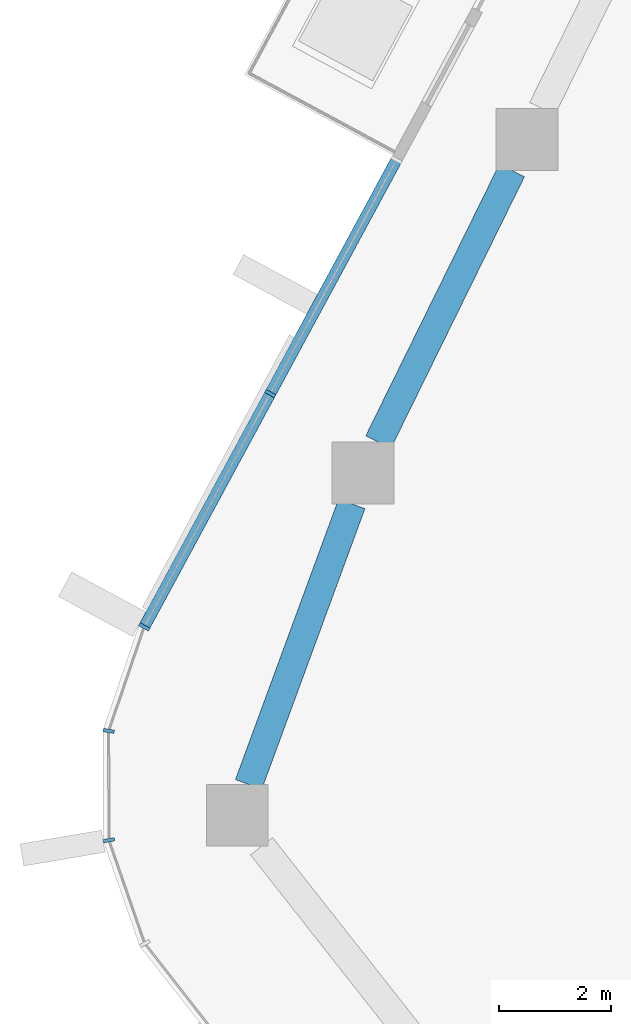
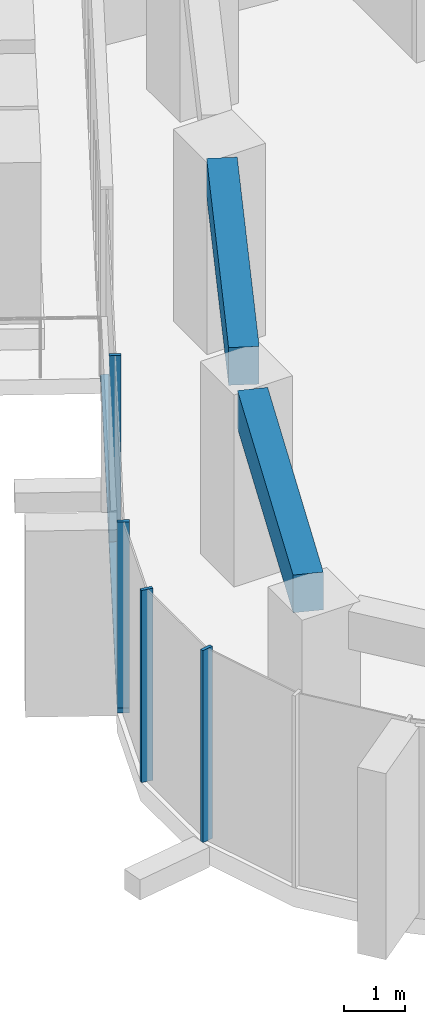
# One storey, part 3 of 20: 5 members, 2 beams, 2 elements without a shape of their own.
"""IFC4 building model written with IfcOpenShell, lengths in metres."""

from ifc_helpers import new_model, si_unit, direction, frame, origin, origin_2d, place, context, subcontext, project, spatial, rectangle, extrude, material, layer, layer_set, material_profile, profile_set, type_object, element, aggregate, save


model = new_model("IFC4")

# Units and contexts
model_context = context("Model", 3, precision=1e-05, world=origin(), true_north=direction((0.0, 1.0)))
body_context = subcontext(model_context, "Body", "Model", "MODEL_VIEW")
ifc_project = project(units=[si_unit("LENGTHUNIT", "METRE"), si_unit("AREAUNIT", "SQUARE_METRE"), si_unit("VOLUMEUNIT", "CUBIC_METRE"), si_unit("PLANEANGLEUNIT", "RADIAN"), si_unit("MASSUNIT", "GRAM", prefix="KILO")], contexts=[model_context])

# Site, building, storey
site_placement = place(None, origin())
site = spatial("IfcSite", under=ifc_project, at=site_placement, CompositionType="ELEMENT")
building_placement = place(site_placement, origin())
building = spatial("IfcBuilding", under=site, at=building_placement, Name="Dongbaek Canopy Tower", CompositionType="ELEMENT")
storey_placement = place(building_placement, frame((0.0, 0.0, 262.199951171875)))
storey = spatial("IfcBuildingStorey", under=building, at=storey_placement, Name="L55", CompositionType="ELEMENT", Elevation=262.199951171875)

# Curtain wall, members
ifc_material_1 = material(Name="Aluminium 6063-T6 pale anodised", Category="aluminium")
ifc_layer = layer(ifc_material_1, 0.199951171875)
ifc_layer_set = layer_set([ifc_layer], Name="CW-1 unitised tower curtain wall")
curtain_wall_type = type_object("IfcCurtainWallType", Name="CW-1 unitised tower curtain wall", PredefinedType="NOTDEFINED", material=ifc_layer_set)
curtain_wall_1_placement = place(storey_placement, origin())
curtain_wall_1 = element("IfcCurtainWall", 1, at=curtain_wall_1_placement, inside=storey, type_object=curtain_wall_type, Name="CW-1 curtain wall F2.1", PredefinedType="NOTDEFINED")
ifc_material_2 = material(Name="Aluminium 6063-T6 pale anodised", Category="aluminium")
ifc_material_profile_1 = material_profile(ifc_material_2, rectangle(XDim=0.199951171875, YDim=0.06005859375, at=origin_2d()), Name="CW-1 mullion 60 x 200")
ifc_profile_set_1 = profile_set([ifc_material_profile_1], Name="Aluminium 6063-T6 pale anodised")
member_type_1 = type_object("IfcMemberType", Name="CW-1 mullion 60 x 200", PredefinedType="MULLION", material=ifc_profile_set_1)
member_1_placement = place(storey_placement, frame((-27.194580078125, 1.489013671875, 0.1201171875), z_axis=(0.0, 0.0, 1.0), x_axis=(-0.879876973154, 0.475201548938, 0.0)))
member_1 = element("IfcMember", 2, at=member_1_placement, type_object=member_type_1, Name="CW-1 mullion F2.1.2", PredefinedType="MULLION", context=body_context, shape_type="SweptSolid", body=[
    extrude(rectangle(XDim=0.199951171875, YDim=0.06005859375, at=origin_2d()), origin(), (0.0, 0.0, 1.0), 3.699951171875),
])
member_2_placement = place(storey_placement, frame((-29.438232421875, -2.66552734375, 0.1201171875), z_axis=(0.0, 0.0, 1.0), x_axis=(-0.879876973154, 0.475201548938, 0.0)))
member_2 = element("IfcMember", 3, at=member_2_placement, type_object=member_type_1, Name="CW-1 mullion F2.1.3", PredefinedType="MULLION", context=body_context, shape_type="SweptSolid", body=[
    extrude(rectangle(XDim=0.199951171875, YDim=0.06005859375, at=origin_2d()), origin(), (0.0, 0.0, 1.0), 3.699951171875),
])

curtain_wall_2_placement = place(storey_placement, origin())
curtain_wall_2 = element("IfcCurtainWall", 4, at=curtain_wall_2_placement, inside=storey, type_object=curtain_wall_type, Name="CW-1 curtain wall K3.1", PredefinedType="NOTDEFINED")
member_3_placement = place(storey_placement, frame((-30.07080078125, -4.51611328125, 0.0), z_axis=(0.0, 0.0, 1.0), x_axis=(-0.986654271649, 0.162829199583, 0.0)))
member_3 = element("IfcMember", 5, at=member_3_placement, type_object=member_type_1, Name="CW-1 mullion K3.1.2", PredefinedType="MULLION", context=body_context, shape_type="SweptSolid", body=[
    extrude(rectangle(XDim=0.199951171875, YDim=0.06005859375, at=origin_2d()), origin(), (0.0, 0.0, 1.0), 3.820068359375),
])
member_4_placement = place(storey_placement, frame((-30.06640625, -6.46337890625, 0.0), z_axis=(0.0, 0.0, 1.0), x_axis=(-0.985908083157, -0.167287930128, 0.0)))
member_4 = element("IfcMember", 6, at=member_4_placement, type_object=member_type_1, Name="CW-1 mullion K3.1.3", PredefinedType="MULLION", context=body_context, shape_type="SweptSolid", body=[
    extrude(rectangle(XDim=0.199951171875, YDim=0.06005859375, at=origin_2d()), origin(), (0.0, 0.0, 1.0), 3.820068359375),
])
aggregate(curtain_wall_2, [member_3, member_4])

# Member
ifc_material_3 = material(Name="Aluminium 6063-T6 pale anodised", Category="aluminium")
ifc_material_profile_2 = material_profile(ifc_material_3, rectangle(XDim=0.199951171875, YDim=0.1201171875, at=origin_2d()), Name="CW-1 transom 120 x 200")
ifc_profile_set_2 = profile_set([ifc_material_profile_2], Name="Aluminium 6063-T6 pale anodised")
member_type_2 = type_object("IfcMemberType", Name="CW-1 transom 120 x 200", PredefinedType="USERDEFINED", material=ifc_profile_set_2)
member_5_placement = place(storey_placement, frame((-24.94677734375, 5.65087890625, 0.06005859375), z_axis=(-0.475197710555, -0.879879046167, 0.0), x_axis=(0.879879046167, -0.475197710555, 0.0)))
member_5 = element("IfcMember", 7, at=member_5_placement, type_object=member_type_2, Name="CW-1 transom F2.1.1", ObjectType="TRANSOM", PredefinedType="USERDEFINED", context=body_context, shape_type="SweptSolid", body=[
    extrude(rectangle(XDim=0.199951171875, YDim=0.1201171875, at=origin_2d()), origin(), (0.0, 0.0, 1.0), 9.45166015625),
])

aggregate(curtain_wall_1, [member_1, member_2, member_5])

# Beams
ifc_material_4 = material(Name="Concrete C70", Category="concrete")
ifc_material_profile_3 = material_profile(ifc_material_4, rectangle(XDim=0.5, YDim=0.75, at=origin_2d()), Name="RC EDGE BEAM 500x750 C70")
ifc_profile_set_3 = profile_set([ifc_material_profile_3], Name="Concrete C70")
beam_type = type_object("IfcBeamType", Name="RC EDGE BEAM 500x750 C70", PredefinedType="BEAM", material=ifc_profile_set_3)
beam_1_placement = place(storey_placement, frame((-27.57958984375, -5.469970703125, 3.445068359375), z_axis=(0.345180317771, 0.938536386201, 0.0), x_axis=(-0.938536386201, 0.345180317771, 0.0)))
element("IfcBeam", 8, at=beam_1_placement, inside=storey, type_object=beam_type, Name="EDGEBEAM:L55:08", PredefinedType="BEAM", context=body_context, shape_type="SweptSolid", body=[
    extrude(rectangle(XDim=0.5, YDim=0.75, at=origin_2d()), origin(), (0.0, 0.0, 1.0), 5.322998046875),
])
beam_2_placement = place(storey_placement, frame((-25.26953125, 0.6259765625, 3.445068359375), z_axis=(0.44133161815, 0.897344082736, 0.0), x_axis=(-0.897344082736, 0.44133161815, 0.0)))
element("IfcBeam", 9, at=beam_2_placement, inside=storey, type_object=beam_type, Name="EDGEBEAM:L55:09", PredefinedType="BEAM", context=body_context, shape_type="SweptSolid", body=[
    extrude(rectangle(XDim=0.5, YDim=0.75, at=origin_2d()), origin(), (0.0, 0.0, 1.0), 5.38818359375),
])

save(model, "model.ifc")
